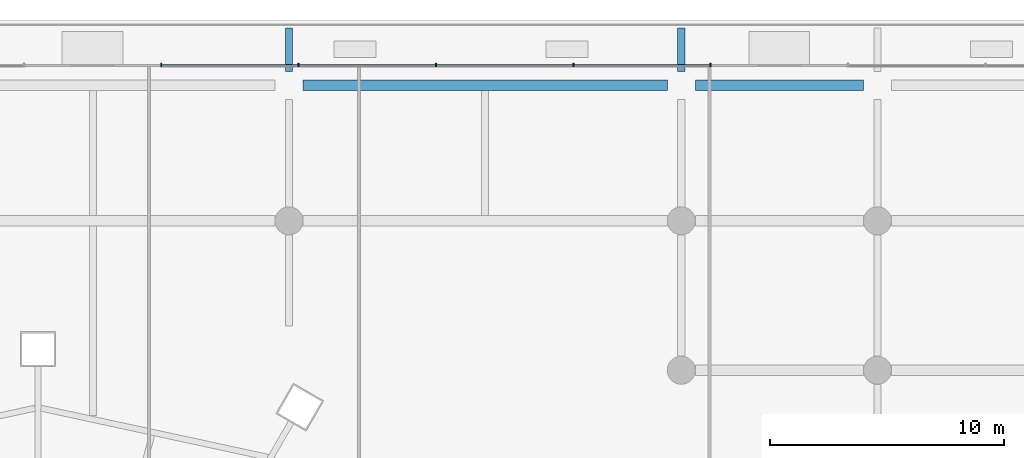
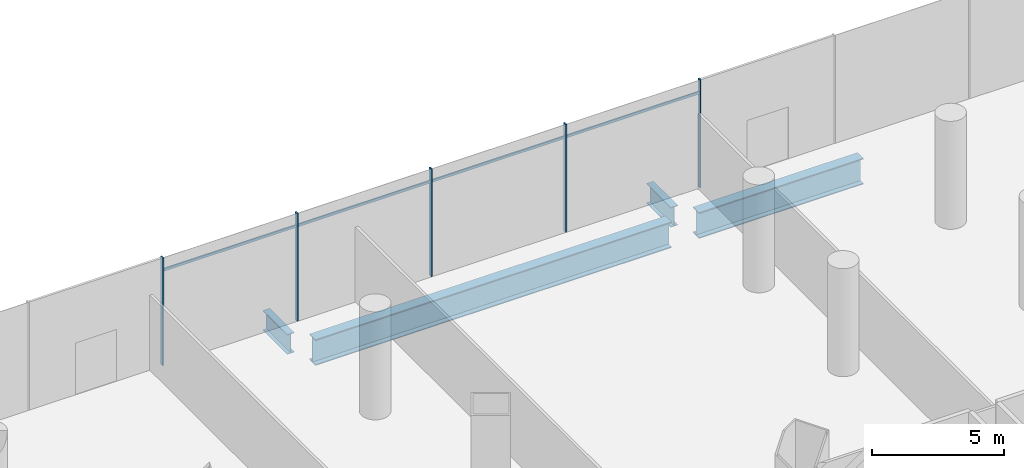
# One storey, part 25 of 51: 9 members, 4 beams, 1 element without a shape of its own.
"""IFC4 building model written with IfcOpenShell, lengths in metres."""

from ifc_helpers import new_model, si_unit, direction, frame, origin, origin_2d, place, context, subcontext, project, spatial, rectangle, i_section, extrude, material, material_profile, profile_set, type_object, element, aggregate, save


model = new_model("IFC4")

# Units and contexts
model_context = context("Model", 3, precision=1e-05, world=origin(), true_north=direction((0.0, 1.0)))
body_context = subcontext(model_context, "Body", "Model", "MODEL_VIEW")
ifc_project = project(units=[si_unit("LENGTHUNIT", "METRE"), si_unit("AREAUNIT", "SQUARE_METRE"), si_unit("VOLUMEUNIT", "CUBIC_METRE"), si_unit("PLANEANGLEUNIT", "RADIAN"), si_unit("MASSUNIT", "GRAM", prefix="KILO")], contexts=[model_context])

# Site, building, storey
site_placement = place(None, origin())
site = spatial("IfcSite", under=ifc_project, at=site_placement, CompositionType="ELEMENT")
building_placement = place(site_placement, origin())
building = spatial("IfcBuilding", under=site, at=building_placement, Name="Rimbun Link Towers", CompositionType="ELEMENT")
storey_placement = place(building_placement, frame((0.0, 0.0, 7.0)))
storey = spatial("IfcBuildingStorey", under=building, at=storey_placement, Name="L01", CompositionType="ELEMENT", Elevation=7.0)

# Curtain wall, members
ifc_material_1 = material(Name="Aluminium 6063-T6 and low-iron glass", Category="aluminium")
curtain_wall_type = type_object("IfcCurtainWallType", Name="CW3 podium shopfront", PredefinedType="NOTDEFINED", material=ifc_material_1)
curtain_wall_placement = place(storey_placement, origin())
curtain_wall = element("IfcCurtainWall", 1, at=curtain_wall_placement, inside=storey, type_object=curtain_wall_type, Name="CW3 L01 PD", PredefinedType="NOTDEFINED")
ifc_material_2 = material(Name="Aluminium 6063-T6", Category="aluminium")
ifc_material_profile_1 = material_profile(ifc_material_2, rectangle(XDim=0.14990234375, YDim=0.06005859375, at=origin_2d()), Name="MULLION 60X150")
ifc_profile_set_1 = profile_set([ifc_material_profile_1], Name="Aluminium 6063-T6")
member_type_1 = type_object("IfcMemberType", Name="CW3 mullion 60X150", PredefinedType="MULLION", material=ifc_profile_set_1)
member_1_placement = place(storey_placement, frame((-2.941162109375, 34.074951171875, 0.0), z_axis=(0.0, 0.0, 1.0), x_axis=(0.0, 1.0, 0.0)))
member_1 = element("IfcMember", 2, at=member_1_placement, type_object=member_type_1, Name="CW3 mullion", PredefinedType="MULLION", context=body_context, shape_type="SweptSolid", body=[
    extrude(rectangle(XDim=0.14990234375, YDim=0.06005859375, at=origin_2d()), origin(), (0.0, 0.0, 1.0), 5.0),
])
member_2_placement = place(storey_placement, frame((-8.823486328125, 34.074951171875, 0.0), z_axis=(0.0, 0.0, 1.0), x_axis=(0.0, 1.0, 0.0)))
member_2 = element("IfcMember", 3, at=member_2_placement, type_object=member_type_1, Name="CW3 mullion", PredefinedType="MULLION", context=body_context, shape_type="SweptSolid", body=[
    extrude(rectangle(XDim=0.14990234375, YDim=0.06005859375, at=origin_2d()), origin(), (0.0, 0.0, 1.0), 5.0),
])
member_3_placement = place(storey_placement, frame((-14.705810546875, 34.074951171875, 0.0), z_axis=(0.0, 0.0, 1.0), x_axis=(0.0, 1.0, 0.0)))
member_3 = element("IfcMember", 4, at=member_3_placement, type_object=member_type_1, Name="CW3 mullion", PredefinedType="MULLION", context=body_context, shape_type="SweptSolid", body=[
    extrude(rectangle(XDim=0.14990234375, YDim=0.06005859375, at=origin_2d()), origin(), (0.0, 0.0, 1.0), 5.0),
])
member_4_placement = place(storey_placement, frame((-20.588134765625, 34.074951171875, 0.0), z_axis=(0.0, 0.0, 1.0), x_axis=(0.0, 1.0, 0.0)))
member_4 = element("IfcMember", 5, at=member_4_placement, type_object=member_type_1, Name="CW3 mullion", PredefinedType="MULLION", context=body_context, shape_type="SweptSolid", body=[
    extrude(rectangle(XDim=0.14990234375, YDim=0.06005859375, at=origin_2d()), origin(), (0.0, 0.0, 1.0), 5.0),
])
member_5_placement = place(storey_placement, frame((-26.470703125, 34.074951171875, 0.0), z_axis=(0.0, 0.0, 1.0), x_axis=(0.0, 1.0, 0.0)))
member_5 = element("IfcMember", 6, at=member_5_placement, type_object=member_type_1, Name="CW3 mullion", PredefinedType="MULLION", context=body_context, shape_type="SweptSolid", body=[
    extrude(rectangle(XDim=0.14990234375, YDim=0.06005859375, at=origin_2d()), origin(), (0.0, 0.0, 1.0), 5.0),
])
ifc_material_3 = material(Name="Aluminium 6063-T6", Category="aluminium")
ifc_material_profile_2 = material_profile(ifc_material_3, rectangle(XDim=0.06005859375, YDim=0.1201171875, at=origin_2d()), Name="TRANSOM 60X120")
ifc_profile_set_2 = profile_set([ifc_material_profile_2], Name="Aluminium 6063-T6")
member_type_2 = type_object("IfcMemberType", Name="CW3 transom 60X120", PredefinedType="USERDEFINED", material=ifc_profile_set_2)
member_6_placement = place(storey_placement, frame((-8.79345703125, 34.053955078125, 4.39990234375), z_axis=(1.0, 0.0, 0.0), x_axis=(0.0, 1.0, 0.0)))
member_6 = element("IfcMember", 7, at=member_6_placement, type_object=member_type_2, Name="CW3 transom", ObjectType="TRANSOM", PredefinedType="USERDEFINED", context=body_context, shape_type="SweptSolid", body=[
    extrude(rectangle(XDim=0.06005859375, YDim=0.1201171875, at=origin_2d()), origin(), (0.0, 0.0, 1.0), 5.822265625),
])
member_7_placement = place(storey_placement, frame((-14.67578125, 34.053955078125, 4.39990234375), z_axis=(1.0, 0.0, 0.0), x_axis=(0.0, 1.0, 0.0)))
member_7 = element("IfcMember", 8, at=member_7_placement, type_object=member_type_2, Name="CW3 transom", ObjectType="TRANSOM", PredefinedType="USERDEFINED", context=body_context, shape_type="SweptSolid", body=[
    extrude(rectangle(XDim=0.06005859375, YDim=0.1201171875, at=origin_2d()), origin(), (0.0, 0.0, 1.0), 5.822265625),
])
member_8_placement = place(storey_placement, frame((-20.558349609375, 34.053955078125, 4.39990234375), z_axis=(1.0, 0.0, 0.0), x_axis=(0.0, 1.0, 0.0)))
member_8 = element("IfcMember", 9, at=member_8_placement, type_object=member_type_2, Name="CW3 transom", ObjectType="TRANSOM", PredefinedType="USERDEFINED", context=body_context, shape_type="SweptSolid", body=[
    extrude(rectangle(XDim=0.06005859375, YDim=0.1201171875, at=origin_2d()), origin(), (0.0, 0.0, 1.0), 5.822509765625),
])
member_9_placement = place(storey_placement, frame((-26.440673828125, 34.053955078125, 4.39990234375), z_axis=(1.0, 0.0, 0.0), x_axis=(0.0, 1.0, 0.0)))
member_9 = element("IfcMember", 10, at=member_9_placement, type_object=member_type_2, Name="CW3 transom", ObjectType="TRANSOM", PredefinedType="USERDEFINED", context=body_context, shape_type="SweptSolid", body=[
    extrude(rectangle(XDim=0.06005859375, YDim=0.1201171875, at=origin_2d()), origin(), (0.0, 0.0, 1.0), 5.822509765625),
])
aggregate(curtain_wall, [member_1, member_2, member_3, member_4, member_5, member_6, member_7, member_8, member_9])

# Beams
ifc_material_4 = material(Name="Steel S355J2", Category="steel")
ifc_material_profile_3 = material_profile(ifc_material_4, i_section(OverallWidth=0.449951171875, OverallDepth=1.199951171875, WebThickness=0.030029296875, FlangeThickness=0.044921875, at=origin_2d()), Name="PG 1200x450x30/45")
ifc_profile_set_3 = profile_set([ifc_material_profile_3], Name="Steel S355J2")
beam_type_1 = type_object("IfcBeamType", Name="PG 1200x450x30/45", PredefinedType="BEAM", material=ifc_profile_set_3)
beam_1_placement = place(storey_placement, frame((-20.39990234375, 33.199951171875, -0.89990234375), z_axis=(1.0, 0.0, 0.0), x_axis=(0.0, 1.0, 0.0)))
element("IfcBeam", 11, at=beam_1_placement, inside=storey, type_object=beam_type_1, Name="Grid beam L01 +33.2", PredefinedType="BEAM", context=body_context, shape_type="SweptSolid", body=[
    extrude(i_section(OverallWidth=0.449951171875, OverallDepth=1.199951171875, WebThickness=0.030029296875, FlangeThickness=0.044921875, at=origin_2d()), origin(), (0.0, 0.0, 1.0), 15.599853515625),
])
beam_2_placement = place(storey_placement, frame((-3.60009765625, 33.199951171875, -0.89990234375), z_axis=(1.0, 0.0, 0.0), x_axis=(0.0, 1.0, 0.0)))
element("IfcBeam", 12, at=beam_2_placement, inside=storey, type_object=beam_type_1, Name="Grid beam L01 +33.2", PredefinedType="BEAM", context=body_context, shape_type="SweptSolid", body=[
    extrude(i_section(OverallWidth=0.449951171875, OverallDepth=1.199951171875, WebThickness=0.030029296875, FlangeThickness=0.044921875, at=origin_2d()), origin(), (0.0, 0.0, 1.0), 7.2001953125),
])
ifc_material_5 = material(Name="Steel S355J2", Category="steel")
ifc_material_profile_4 = material_profile(ifc_material_5, i_section(OverallWidth=0.305419921875, OverallDepth=0.91845703125, WebThickness=0.017333984375, FlangeThickness=0.02783203125, at=origin_2d()), Name="UB 914x305x253")
ifc_profile_set_4 = profile_set([ifc_material_profile_4], Name="Steel S355J2")
beam_type_2 = type_object("IfcBeamType", Name="UB 914x305x253", PredefinedType="BEAM", material=ifc_profile_set_4)
for number, where, z_axis, x_axis, name in (
    (13, (-21.0, 33.800048828125, -0.75927734375), (0.0, 1.0, 0.0), (-1.0, 0.0, 0.0), "Grid beam L01 -21.0"),
    (14, (-4.199951171875, 33.800048828125, -0.75927734375), (0.0, 1.0, 0.0), (-1.0, 0.0, 0.0), "Grid beam L01 -4.2"),
):
    element("IfcBeam", number, at=place(storey_placement, frame(where, z_axis=z_axis, x_axis=x_axis)), inside=storey, type_object=beam_type_2, Name=name, PredefinedType="BEAM", context=body_context, shape_type="SweptSolid", body=[
        extrude(i_section(OverallWidth=0.305419921875, OverallDepth=0.91845703125, WebThickness=0.017333984375, FlangeThickness=0.02783203125, at=origin_2d()), origin(), (0.0, 0.0, 1.0), 1.84912109375),
    ])

save(model, "model.ifc")
